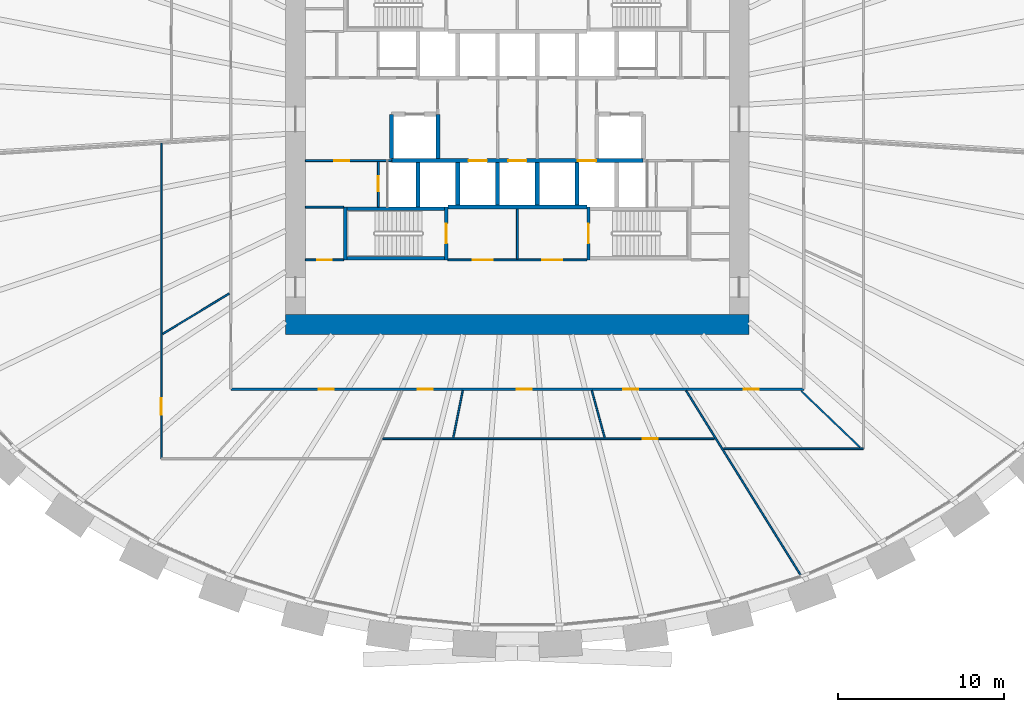
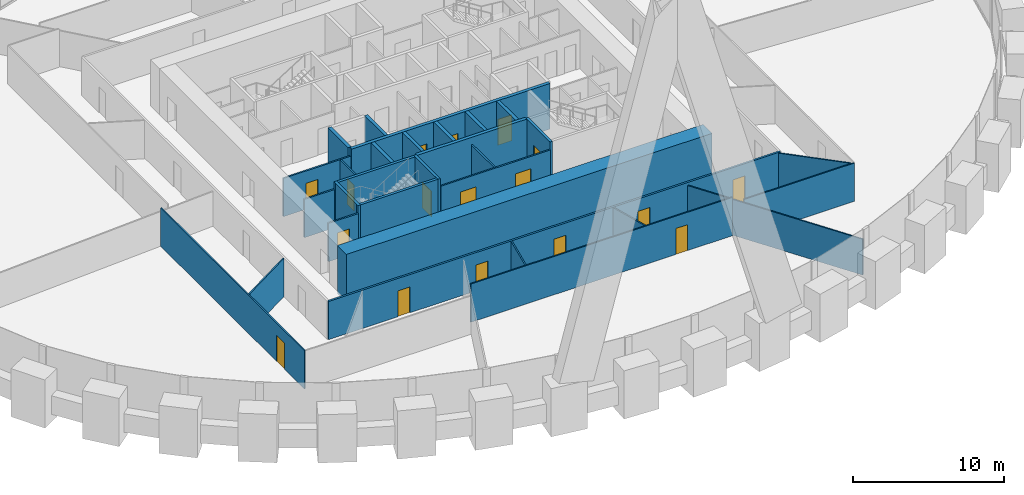
# One storey, part 6 of 10: 30 walls, 17 doors, 17 openings.
"""IFC4 building model written with IfcOpenShell, lengths in metres."""

from ifc_helpers import new_model, si_unit, direction, frame, frame_2d, origin, place, context, subcontext, project, spatial, rectangle, extrude, source, transform, mapped, material, layer, layer_set, type_object, element, fill, save


model = new_model("IFC4")

# Units and contexts
model_context = context("Model", 3, precision=1e-05, world=origin(), true_north=direction((0.0, 1.0)))
body_context = subcontext(model_context, "Body", "Model", "MODEL_VIEW")
ifc_project = project(units=[si_unit("LENGTHUNIT", "METRE"), si_unit("AREAUNIT", "SQUARE_METRE"), si_unit("VOLUMEUNIT", "CUBIC_METRE"), si_unit("PLANEANGLEUNIT", "RADIAN"), si_unit("MASSUNIT", "GRAM", prefix="KILO")], contexts=[model_context])

# Site, building, storey
site_placement = place(None, origin())
site = spatial("IfcSite", under=ifc_project, at=site_placement, CompositionType="ELEMENT")
building_placement = place(site_placement, origin())
building = spatial("IfcBuilding", under=site, at=building_placement, Name="Embergate Tower", CompositionType="ELEMENT")
storey_placement = place(building_placement, frame((0.0, 0.0, 89.300048828125)))
storey = spatial("IfcBuildingStorey", under=building, at=storey_placement, Name="L18", CompositionType="ELEMENT", Elevation=89.300048828125)

# Walls
ifc_material_1 = material(Name="Concrete C80", Category="concrete")
ifc_layer_1 = layer(ifc_material_1, 1.199951171875)
ifc_layer_set_1 = layer_set([ifc_layer_1], Name="Concrete C80")
wall_type_1 = type_object("IfcWallType", Name="Core outer wall C80 1200", PredefinedType="SHEAR", material=ifc_layer_set_1)
shared_shape_1 = source(origin(), body_context, "Body", "SweptSolid", [
    extrude(rectangle(XDim=28.0, YDim=1.199951171875, at=frame_2d((14.0, 0.0))), origin(), (0.0, 0.0, 1.0), 3.89990234375),
])
wall_1_placement = place(storey_placement, frame((-14.0, -12.39990234375, -0.199951171875), z_axis=(0.0, 0.0, 1.0), x_axis=(1.0, 0.0, 0.0)))
element("IfcWall", 1, at=wall_1_placement, inside=storey, type_object=wall_type_1, Name="CW-L18-S", PredefinedType="SHEAR", context=body_context, shape_type="MappedRepresentation", body=[
    mapped(shared_shape_1, transform((0.0, 0.0, 0.0))),
])
ifc_material_2 = material(Name="Concrete C50", Category="concrete")
ifc_layer_2 = layer(ifc_material_2, 0.25)
ifc_layer_set_2 = layer_set([ifc_layer_2], Name="Concrete C50")
wall_type_2 = type_object("IfcWallType", Name="Hoistway wall reinforced concrete 250", PredefinedType="SHEAR", material=ifc_layer_set_2)
shared_shape_2 = source(origin(), body_context, "Body", "SweptSolid", [
    extrude(rectangle(XDim=2.675048828125, YDim=0.25, at=frame_2d((1.33740234375, 0.0))), origin(), (0.0, 0.0, 1.0), 3.699951171875),
])
for number, where, z_axis, x_axis, name in (
    (2, (-6.0, -5.300048828125, 0.0), (0.0, 0.0, 1.0), (0.0, 1.0, 0.0), "HW-1 wall"),
    (3, (-4.800048828125, 0.300048828125, 0.0), (0.0, 0.0, 1.0), (0.0, -1.0, 0.0), "HW-1 wall"),
    (4, (-7.60009765625, 0.300048828125, 0.0), (0.0, 0.0, 1.0), (0.0, -1.0, 0.0), "HW-1 wall"),
):
    element("IfcWall", number, at=place(storey_placement, frame(where, z_axis=z_axis, x_axis=x_axis)), inside=storey, type_object=wall_type_2, Name=name, PredefinedType="SHEAR", context=body_context, shape_type="MappedRepresentation", body=[
        mapped(shared_shape_2, transform((0.0, 0.0, 0.0))),
    ])
ifc_layer_3 = layer(ifc_material_2, 0.199951171875)
ifc_layer_set_3 = layer_set([ifc_layer_3], Name="Concrete C50")
wall_type_3 = type_object("IfcWallType", Name="Stair enclosure wall reinforced concrete 250", PredefinedType="SHEAR", material=ifc_layer_set_3)
shared_shape_3 = source(origin(), body_context, "Body", "SweptSolid", [
    extrude(rectangle(XDim=6.300048828125, YDim=0.199951171875, at=frame_2d((3.14990234375, 0.0))), origin(), (0.0, 0.0, 1.0), 3.699951171875),
])
for number, where, z_axis, x_axis, name in (
    (5, (-10.5, -5.39990234375, 0.0), (0.0, 0.0, 1.0), (1.0, 0.0, 0.0), "SE-1 wall"),
    (6, (-10.5, -8.39990234375, 0.0), (0.0, 0.0, 1.0), (1.0, 0.0, 0.0), "SE-1 wall"),
):
    element("IfcWall", number, at=place(storey_placement, frame(where, z_axis=z_axis, x_axis=x_axis)), inside=storey, type_object=wall_type_3, Name=name, PredefinedType="SHEAR", context=body_context, shape_type="MappedRepresentation", body=[
        mapped(shared_shape_3, transform((0.0, 0.0, 0.0))),
    ])
shared_shape_4 = source(origin(), body_context, "Body", "SweptSolid", [
    extrude(rectangle(XDim=2.550048828125, YDim=0.25, at=frame_2d((1.27490234375, 0.0))), origin(), (0.0, 0.0, 1.0), 3.699951171875),
])
for number, where, z_axis, x_axis, name in (
    (7, (-3.60009765625, -5.175048828125, 0.0), (0.0, 0.0, 1.0), (0.0, 1.0, 0.0), "HW-1 wall"),
    (8, (-1.199951171875, -5.175048828125, 0.0), (0.0, 0.0, 1.0), (0.0, 1.0, 0.0), "HW-1 wall"),
    (9, (1.199951171875, -5.175048828125, 0.0), (0.0, 0.0, 1.0), (0.0, 1.0, 0.0), "HW-1 wall"),
    (10, (3.60009765625, -5.175048828125, 0.0), (0.0, 0.0, 1.0), (0.0, 1.0, 0.0), "HW-1 wall"),
):
    element("IfcWall", number, at=place(storey_placement, frame(where, z_axis=z_axis, x_axis=x_axis)), inside=storey, type_object=wall_type_2, Name=name, PredefinedType="SHEAR", context=body_context, shape_type="MappedRepresentation", body=[
        mapped(shared_shape_4, transform((0.0, 0.0, 0.0))),
    ])
shared_shape_5 = source(origin(), body_context, "Body", "SweptSolid", [
    extrude(rectangle(XDim=8.39990234375, YDim=0.25, at=frame_2d((4.199951171875, 0.0))), origin(), (0.0, 0.0, 1.0), 3.699951171875),
])
wall_2_placement = place(storey_placement, frame((-4.199951171875, -5.300048828125, 0.0), z_axis=(0.0, 0.0, 1.0), x_axis=(1.0, 0.0, 0.0)))
element("IfcWall", 11, at=wall_2_placement, inside=storey, type_object=wall_type_2, Name="HW-1 wall", PredefinedType="SHEAR", context=body_context, shape_type="MappedRepresentation", body=[
    mapped(shared_shape_5, transform((0.0, 0.0, 0.0))),
])

# Wall, openings, doors
shared_shape_6 = source(origin(), body_context, "Body", "SweptSolid", [
    extrude(rectangle(XDim=15.2001953125, YDim=0.25, at=frame_2d((7.60009765625, 0.0))), origin(), (0.0, 0.0, 1.0), 3.699951171875),
])
wall_3_placement = place(storey_placement, frame((7.60009765625, -2.5, 0.0), z_axis=(0.0, 0.0, 1.0), x_axis=(-1.0, 0.0, 0.0)))
wall_3 = element("IfcWall", 12, at=wall_3_placement, inside=storey, type_object=wall_type_2, Name="HW-1 wall", PredefinedType="SHEAR", context=body_context, shape_type="MappedRepresentation", body=[
    mapped(shared_shape_6, transform((0.0, 0.0, 0.0))),
])
shared_shape_7 = source(origin(), body_context, "Body", "SweptSolid", [
    extrude(rectangle(XDim=1.10009765625, YDim=2.10009765625, at=frame_2d((0.550048828125, 1.050048828125))), frame((0.0, 0.135009765625, 0.0), z_axis=(0.0, -1.0, 0.0), x_axis=(1.0, 0.0, 0.0)), (0.0, 0.0, 1.0), 0.27001953125),
])
opening_1_placement = place(wall_3_placement, frame((9.449951171875, 0.0, 0.0)))
opening_1 = element("IfcOpeningElement", 13, at=opening_1_placement, cuts=wall_3, Name="Opening LD", PredefinedType="OPENING", context=body_context, shape_type="MappedRepresentation", body=[
    mapped(shared_shape_7, transform((0.0, 0.0, 0.0))),
])
opening_2_placement = place(wall_3_placement, frame((7.050048828125, 0.0, 0.0)))
opening_2 = element("IfcOpeningElement", 14, at=opening_2_placement, cuts=wall_3, Name="Opening LD", PredefinedType="OPENING", context=body_context, shape_type="MappedRepresentation", body=[
    mapped(shared_shape_7, transform((0.0, 0.0, 0.0))),
])
opening_3_placement = place(wall_3_placement, frame((2.85009765625, 0.0, 0.0)))
opening_3 = element("IfcOpeningElement", 15, at=opening_3_placement, cuts=wall_3, Name="Opening LD", PredefinedType="OPENING", context=body_context, shape_type="MappedRepresentation", body=[
    mapped(shared_shape_7, transform((0.0, 0.0, 0.0))),
])
ifc_material_3 = material(Name="Landing door sliding 1100")
door_type_1 = type_object("IfcDoorType", Name="Landing door sliding 1100", OperationType="SLIDING_TO_LEFT", PredefinedType="DOOR", material=ifc_material_3)
shared_shape_8 = source(origin(), body_context, "Body", "SweptSolid", [
    extrude(rectangle(XDim=1.10009765625, YDim=2.10009765625, at=frame_2d((0.550048828125, 1.050048828125))), frame((0.0, 0.02490234375, 0.0), z_axis=(0.0, -1.0, 0.0), x_axis=(1.0, 0.0, 0.0)), (0.0, 0.0, 1.0), 0.050048828125),
])
door_1_placement = place(opening_1_placement, origin())
door_1 = element("IfcDoor", 16, at=door_1_placement, inside=storey, type_object=door_type_1, Name="LD door", OperationType="SLIDING_TO_RIGHT", OverallHeight=2.10009765625, OverallWidth=1.10009765625, PredefinedType="DOOR", context=body_context, shape_type="MappedRepresentation", body=[
    mapped(shared_shape_8, transform((0.0, 0.0, 0.0))),
])
fill(opening_1, door_1)
door_2_placement = place(opening_2_placement, origin())
door_2 = element("IfcDoor", 17, at=door_2_placement, inside=storey, type_object=door_type_1, Name="LD door", OperationType="SLIDING_TO_RIGHT", OverallHeight=2.10009765625, OverallWidth=1.10009765625, PredefinedType="DOOR", context=body_context, shape_type="MappedRepresentation", body=[
    mapped(shared_shape_8, transform((0.0, 0.0, 0.0))),
])
fill(opening_2, door_2)
door_3_placement = place(opening_3_placement, origin())
door_3 = element("IfcDoor", 18, at=door_3_placement, inside=storey, type_object=door_type_1, Name="LD door", OperationType="SLIDING_TO_RIGHT", OverallHeight=2.10009765625, OverallWidth=1.10009765625, PredefinedType="DOOR", context=body_context, shape_type="MappedRepresentation", body=[
    mapped(shared_shape_8, transform((0.0, 0.0, 0.0))),
])
fill(opening_3, door_3)

# Wall, opening, door
shared_shape_9 = source(origin(), body_context, "Body", "SweptSolid", [
    extrude(rectangle(XDim=3.199951171875, YDim=0.199951171875, at=frame_2d((1.60009765625, 0.0))), origin(), (0.0, 0.0, 1.0), 3.699951171875),
])
wall_4_placement = place(storey_placement, frame((-4.300048828125, -8.5, 0.0), z_axis=(0.0, 0.0, 1.0), x_axis=(0.0, 1.0, 0.0)))
wall_4 = element("IfcWall", 19, at=wall_4_placement, inside=storey, type_object=wall_type_3, Name="SE-1 wall", PredefinedType="SHEAR", context=body_context, shape_type="MappedRepresentation", body=[
    mapped(shared_shape_9, transform((0.0, 0.0, 0.0))),
])
shared_shape_10 = source(origin(), body_context, "Body", "SweptSolid", [
    extrude(rectangle(XDim=1.199951171875, YDim=2.10009765625, at=frame_2d((0.60009765625, 1.050048828125))), frame((0.0, 0.10986328125, 0.0), z_axis=(0.0, -1.0, 0.0), x_axis=(1.0, 0.0, 0.0)), (0.0, 0.0, 1.0), 0.219970703125),
])
opening_4_placement = place(wall_4_placement, frame((1.0, 0.0, 0.0)))
opening_4 = element("IfcOpeningElement", 20, at=opening_4_placement, cuts=wall_4, Name="Opening IF-2", PredefinedType="OPENING", context=body_context, shape_type="MappedRepresentation", body=[
    mapped(shared_shape_10, transform((0.0, 0.0, 0.0))),
])
ifc_material_4 = material(Name="Stair enclosure door 1200")
door_type_2 = type_object("IfcDoorType", Name="Stair enclosure door 1200", OperationType="SINGLE_SWING_LEFT", PredefinedType="DOOR", material=ifc_material_4)
shared_shape_11 = source(origin(), body_context, "Body", "SweptSolid", [
    extrude(rectangle(XDim=1.199951171875, YDim=2.10009765625, at=frame_2d((0.60009765625, 1.050048828125))), frame((0.0, 0.02490234375, 0.0), z_axis=(0.0, -1.0, 0.0), x_axis=(1.0, 0.0, 0.0)), (0.0, 0.0, 1.0), 0.050048828125),
])
door_4_placement = place(opening_4_placement, origin())
door_4 = element("IfcDoor", 21, at=door_4_placement, inside=storey, type_object=door_type_2, Name="IF-2 door", OperationType="SINGLE_SWING_LEFT", OverallHeight=2.10009765625, OverallWidth=1.199951171875, PredefinedType="DOOR", context=body_context, shape_type="MappedRepresentation", body=[
    mapped(shared_shape_11, transform((0.0, 0.0, 0.0))),
])
fill(opening_4, door_4)

# Wall
wall_5_placement = place(storey_placement, frame((-10.39990234375, -5.300048828125, 0.0), z_axis=(0.0, 0.0, 1.0), x_axis=(0.0, -1.0, 0.0)))
element("IfcWall", 22, at=wall_5_placement, inside=storey, type_object=wall_type_3, Name="SE-1 wall", PredefinedType="SHEAR", context=body_context, shape_type="MappedRepresentation", body=[
    mapped(shared_shape_9, transform((0.0, 0.0, 0.0))),
])

# Wall, opening, door
wall_6_placement = place(storey_placement, frame((4.300048828125, -5.300048828125, 0.0), z_axis=(0.0, 0.0, 1.0), x_axis=(0.0, -1.0, 0.0)))
wall_6 = element("IfcWall", 23, at=wall_6_placement, inside=storey, type_object=wall_type_3, Name="SE-1 wall", PredefinedType="SHEAR", context=body_context, shape_type="MappedRepresentation", body=[
    mapped(shared_shape_9, transform((0.0, 0.0, 0.0))),
])
opening_5_placement = place(wall_6_placement, frame((1.0, 0.0, 0.0)))
opening_5 = element("IfcOpeningElement", 24, at=opening_5_placement, cuts=wall_6, Name="Opening IF-2", PredefinedType="OPENING", context=body_context, shape_type="MappedRepresentation", body=[
    mapped(shared_shape_10, transform((0.0, 0.0, 0.0))),
])
door_5_placement = place(opening_5_placement, origin())
door_5 = element("IfcDoor", 25, at=door_5_placement, inside=storey, type_object=door_type_2, Name="IF-2 door", OperationType="SINGLE_SWING_LEFT", OverallHeight=2.10009765625, OverallWidth=1.199951171875, PredefinedType="DOOR", context=body_context, shape_type="MappedRepresentation", body=[
    mapped(shared_shape_11, transform((0.0, 0.0, 0.0))),
])
fill(opening_5, door_5)

ifc_material_5 = material(Name="Core partition blockwork 120")
ifc_layer_4 = layer(ifc_material_5, 0.1201171875)
ifc_layer_set_4 = layer_set([ifc_layer_4], Name="Core partition blockwork 120")
wall_type_4 = type_object("IfcWallType", Name="Core partition blockwork 120", PredefinedType="PARTITIONING", material=ifc_layer_set_4)
shared_shape_12 = source(origin(), body_context, "Body", "SweptSolid", [
    extrude(rectangle(XDim=2.739990234375, YDim=0.1201171875, at=frame_2d((1.3701171875, 0.0))), origin(), (0.0, 0.0, 1.0), 3.099853515625),
])
wall_7_placement = place(storey_placement, frame((-8.39990234375, -2.56005859375, 0.0), z_axis=(0.0, 0.0, 1.0), x_axis=(0.0, -1.0, 0.0)))
wall_7 = element("IfcWall", 26, at=wall_7_placement, inside=storey, type_object=wall_type_4, Name="IP-3 wall", PredefinedType="PARTITIONING", context=body_context, shape_type="MappedRepresentation", body=[
    mapped(shared_shape_12, transform((0.0, 0.0, 0.0))),
])
shared_shape_13 = source(origin(), body_context, "Body", "SweptSolid", [
    extrude(rectangle(XDim=0.89990234375, YDim=2.10009765625, at=frame_2d((0.449951171875, 1.050048828125))), frame((0.0, 0.070068359375, 0.0), z_axis=(0.0, -1.0, 0.0), x_axis=(1.0, 0.0, 0.0)), (0.0, 0.0, 1.0), 0.14013671875),
])
opening_6_placement = place(wall_7_placement, frame((0.889892578125, 0.0, 0.0)))
opening_6 = element("IfcOpeningElement", 27, at=opening_6_placement, cuts=wall_7, Name="Opening ID-1", PredefinedType="OPENING", context=body_context, shape_type="MappedRepresentation", body=[
    mapped(shared_shape_13, transform((0.0, 0.0, 0.0))),
])
ifc_material_6 = material(Name="Interior door 900")
door_type_3 = type_object("IfcDoorType", Name="Interior door 900", OperationType="SINGLE_SWING_LEFT", PredefinedType="DOOR", material=ifc_material_6)
shared_shape_14 = source(origin(), body_context, "Body", "SweptSolid", [
    extrude(rectangle(XDim=0.89990234375, YDim=2.10009765625, at=frame_2d((0.449951171875, 1.050048828125))), frame((0.0, 0.02490234375, 0.0), z_axis=(0.0, -1.0, 0.0), x_axis=(1.0, 0.0, 0.0)), (0.0, 0.0, 1.0), 0.050048828125),
])
door_6_placement = place(opening_6_placement, origin())
door_6 = element("IfcDoor", 28, at=door_6_placement, inside=storey, type_object=door_type_3, Name="ID-1 door", OperationType="SINGLE_SWING_LEFT", OverallHeight=2.10009765625, OverallWidth=0.89990234375, PredefinedType="DOOR", context=body_context, shape_type="MappedRepresentation", body=[
    mapped(shared_shape_14, transform((0.0, 0.0, 0.0))),
])
fill(opening_6, door_6)

shared_shape_15 = source(origin(), body_context, "Body", "SweptSolid", [
    extrude(rectangle(XDim=5.199951171875, YDim=0.1201171875, at=frame_2d((2.60009765625, 0.0))), origin(), (0.0, 0.0, 1.0), 3.099853515625),
])
wall_8_placement = place(storey_placement, frame((-7.60009765625, -2.5, 0.0), z_axis=(0.0, 0.0, 1.0), x_axis=(-1.0, 0.0, 0.0)))
wall_8 = element("IfcWall", 29, at=wall_8_placement, inside=storey, type_object=wall_type_4, Name="IP-3 wall", PredefinedType="PARTITIONING", context=body_context, shape_type="MappedRepresentation", body=[
    mapped(shared_shape_15, transform((0.0, 0.0, 0.0))),
])
opening_7_placement = place(wall_8_placement, frame((2.550048828125, 0.0, 0.0)))
opening_7 = element("IfcOpeningElement", 30, at=opening_7_placement, cuts=wall_8, Name="Opening ID-1", PredefinedType="OPENING", context=body_context, shape_type="MappedRepresentation", body=[
    mapped(shared_shape_13, transform((0.0, 0.0, 0.0))),
])
door_7_placement = place(opening_7_placement, origin())
door_7 = element("IfcDoor", 31, at=door_7_placement, inside=storey, type_object=door_type_3, Name="ID-1 door", OperationType="SINGLE_SWING_LEFT", OverallHeight=2.10009765625, OverallWidth=0.89990234375, PredefinedType="DOOR", context=body_context, shape_type="MappedRepresentation", body=[
    mapped(shared_shape_14, transform((0.0, 0.0, 0.0))),
])
fill(opening_7, door_7)

# Wall
shared_shape_16 = source(origin(), body_context, "Body", "SweptSolid", [
    extrude(rectangle(XDim=3.014892578125, YDim=0.1201171875, at=frame_2d((1.50732421875, 0.0))), origin(), (0.0, 0.0, 1.0), 3.099853515625),
])
wall_9_placement = place(storey_placement, frame((0.0, -8.43994140625, 0.0), z_axis=(0.0, 0.0, 1.0), x_axis=(0.0, 1.0, 0.0)))
element("IfcWall", 32, at=wall_9_placement, inside=storey, type_object=wall_type_4, Name="IP-3 wall", PredefinedType="PARTITIONING", context=body_context, shape_type="MappedRepresentation", body=[
    mapped(shared_shape_16, transform((0.0, 0.0, 0.0))),
])

# Wall, openings, doors
shared_shape_17 = source(origin(), body_context, "Body", "SweptSolid", [
    extrude(rectangle(XDim=8.39990234375, YDim=0.1201171875, at=frame_2d((4.199951171875, 0.0))), origin(), (0.0, 0.0, 1.0), 3.099853515625),
])
wall_10_placement = place(storey_placement, frame((-4.199951171875, -8.5, 0.0), z_axis=(0.0, 0.0, 1.0), x_axis=(1.0, 0.0, 0.0)))
wall_10 = element("IfcWall", 33, at=wall_10_placement, inside=storey, type_object=wall_type_4, Name="IP-3 wall", PredefinedType="PARTITIONING", context=body_context, shape_type="MappedRepresentation", body=[
    mapped(shared_shape_17, transform((0.0, 0.0, 0.0))),
])
shared_shape_18 = source(origin(), body_context, "Body", "SweptSolid", [
    extrude(rectangle(XDim=1.199951171875, YDim=2.10009765625, at=frame_2d((0.60009765625, 1.050048828125))), frame((0.0, 0.070068359375, 0.0), z_axis=(0.0, -1.0, 0.0), x_axis=(1.0, 0.0, 0.0)), (0.0, 0.0, 1.0), 0.14013671875),
])
opening_8_placement = place(wall_10_placement, frame((1.5, 0.0, 0.0)))
opening_8 = element("IfcOpeningElement", 34, at=opening_8_placement, cuts=wall_10, Name="Opening IF-3f", PredefinedType="OPENING", context=body_context, shape_type="MappedRepresentation", body=[
    mapped(shared_shape_18, transform((0.0, 0.0, 0.0))),
])
opening_9_placement = place(wall_10_placement, frame((5.699951171875, 0.0, 0.0)))
opening_9 = element("IfcOpeningElement", 35, at=opening_9_placement, cuts=wall_10, Name="Opening IF-3f", PredefinedType="OPENING", context=body_context, shape_type="MappedRepresentation", body=[
    mapped(shared_shape_18, transform((0.0, 0.0, 0.0))),
])
ifc_material_7 = material(Name="Lobby fire door pair 1200")
door_type_4 = type_object("IfcDoorType", Name="Lobby fire door pair 1200", OperationType="DOUBLE_DOOR_SINGLE_SWING", PredefinedType="DOOR", material=ifc_material_7)
door_8_placement = place(opening_8_placement, origin())
door_8 = element("IfcDoor", 36, at=door_8_placement, inside=storey, type_object=door_type_4, Name="IF-3 door", OperationType="DOUBLE_DOOR_SINGLE_SWING", OverallHeight=2.10009765625, OverallWidth=1.199951171875, PredefinedType="DOOR", context=body_context, shape_type="MappedRepresentation", body=[
    mapped(shared_shape_11, transform((0.0, 0.0, 0.0))),
])
fill(opening_8, door_8)
door_9_placement = place(opening_9_placement, origin())
door_9 = element("IfcDoor", 37, at=door_9_placement, inside=storey, type_object=door_type_4, Name="IF-3 door", OperationType="DOUBLE_DOOR_SINGLE_SWING", OverallHeight=2.10009765625, OverallWidth=1.199951171875, PredefinedType="DOOR", context=body_context, shape_type="MappedRepresentation", body=[
    mapped(shared_shape_11, transform((0.0, 0.0, 0.0))),
])
fill(opening_9, door_9)

# Wall, opening, door
shared_shape_19 = source(origin(), body_context, "Body", "SweptSolid", [
    extrude(rectangle(XDim=2.300048828125, YDim=0.1201171875, at=frame_2d((1.14990234375, 0.0))), origin(), (0.0, 0.0, 1.0), 3.099853515625),
])
wall_11_placement = place(storey_placement, frame((-10.5, -8.5, 0.0), z_axis=(0.0, 0.0, 1.0), x_axis=(-1.0, 0.0, 0.0)))
wall_11 = element("IfcWall", 38, at=wall_11_placement, inside=storey, type_object=wall_type_4, Name="IP-3 wall", PredefinedType="PARTITIONING", context=body_context, shape_type="MappedRepresentation", body=[
    mapped(shared_shape_19, transform((0.0, 0.0, 0.0))),
])
opening_10_placement = place(wall_11_placement, frame((0.699951171875, 0.0, 0.0)))
opening_10 = element("IfcOpeningElement", 39, at=opening_10_placement, cuts=wall_11, Name="Opening ID-1", PredefinedType="OPENING", context=body_context, shape_type="MappedRepresentation", body=[
    mapped(shared_shape_13, transform((0.0, 0.0, 0.0))),
])
door_10_placement = place(opening_10_placement, origin())
door_10 = element("IfcDoor", 40, at=door_10_placement, inside=storey, type_object=door_type_3, Name="ID-1 door", OperationType="SINGLE_SWING_RIGHT", OverallHeight=2.10009765625, OverallWidth=0.89990234375, PredefinedType="DOOR", context=body_context, shape_type="MappedRepresentation", body=[
    mapped(shared_shape_14, transform((0.0, 0.0, 0.0))),
])
fill(opening_10, door_10)

# Walls
wall_12_placement = place(storey_placement, frame((-12.800048828125, -5.300048828125, 0.0), z_axis=(0.0, 0.0, 1.0), x_axis=(1.0, 0.0, 0.0)))
element("IfcWall", 41, at=wall_12_placement, inside=storey, type_object=wall_type_4, Name="IP-3 wall", PredefinedType="PARTITIONING", context=body_context, shape_type="MappedRepresentation", body=[
    mapped(shared_shape_19, transform((0.0, 0.0, 0.0))),
])
ifc_material_8 = material(Name="Partition dry-lined 100 wet")
ifc_layer_5 = layer(ifc_material_8, 0.10009765625)
ifc_layer_set_5 = layer_set([ifc_layer_5], Name="Partition dry-lined 100 wet")
wall_type_5 = type_object("IfcWallType", Name="Partition dry-lined 100 wet", PredefinedType="PLUMBINGWALL", material=ifc_layer_set_5)
shared_shape_20 = source(origin(), body_context, "Body", "SweptSolid", [
    extrude(rectangle(XDim=13.174072265625, YDim=0.10009765625, at=frame_2d((6.5869140625, 0.0))), origin(), (0.0, 0.0, 1.0), 2.89990234375),
])
wall_13_placement = place(storey_placement, frame((17.14794921875, -27.590087890625, 0.0), z_axis=(0.0, 0.0, 1.0), x_axis=(-0.527846691856, 0.849339666975, 0.0)))
element("IfcWall", 42, at=wall_13_placement, inside=storey, type_object=wall_type_5, Name="IP-1 wall", PredefinedType="PLUMBINGWALL", context=body_context, shape_type="MappedRepresentation", body=[
    mapped(shared_shape_20, transform((0.0, 0.0, 0.0))),
])

# Wall, openings, doors
ifc_material_9 = material(Name="Corridor wall dry-lined 150")
ifc_layer_6 = layer(ifc_material_9, 0.14990234375)
ifc_layer_set_6 = layer_set([ifc_layer_6], Name="Corridor wall dry-lined 150")
wall_type_6 = type_object("IfcWallType", Name="Corridor wall dry-lined 150", PredefinedType="PARTITIONING", material=ifc_layer_set_6)
shared_shape_21 = source(origin(), body_context, "Body", "SweptSolid", [
    extrude(rectangle(XDim=34.60009765625, YDim=0.14990234375, at=frame_2d((17.300048828125, 0.0))), origin(), (0.0, 0.0, 1.0), 3.099853515625),
])
wall_14_placement = place(storey_placement, frame((17.300048828125, -16.300048828125, 0.0), z_axis=(0.0, 0.0, 1.0), x_axis=(-1.0, 0.0, 0.0)))
wall_14 = element("IfcWall", 43, at=wall_14_placement, inside=storey, type_object=wall_type_6, Name="IP-2 wall", PredefinedType="PARTITIONING", context=body_context, shape_type="MappedRepresentation", body=[
    mapped(shared_shape_21, transform((0.0, 0.0, 0.0))),
])
shared_shape_22 = source(origin(), body_context, "Body", "SweptSolid", [
    extrude(rectangle(XDim=0.89990234375, YDim=2.10009765625, at=frame_2d((0.449951171875, 1.050048828125))), frame((0.0, 0.0849609375, 0.0), z_axis=(0.0, -1.0, 0.0), x_axis=(1.0, 0.0, 0.0)), (0.0, 0.0, 1.0), 0.169921875),
])
opening_11_placement = place(wall_14_placement, frame((28.383056640625, 0.0, 0.0)))
opening_11 = element("IfcOpeningElement", 44, at=opening_11_placement, cuts=wall_14, Name="Opening IF-1c", PredefinedType="OPENING", context=body_context, shape_type="MappedRepresentation", body=[
    mapped(shared_shape_22, transform((0.0, 0.0, 0.0))),
])
opening_12_placement = place(wall_14_placement, frame((22.410888671875, 0.0, 0.0)))
opening_12 = element("IfcOpeningElement", 45, at=opening_12_placement, cuts=wall_14, Name="Opening IF-1c", PredefinedType="OPENING", context=body_context, shape_type="MappedRepresentation", body=[
    mapped(shared_shape_22, transform((0.0, 0.0, 0.0))),
])
opening_13_placement = place(wall_14_placement, frame((16.443115234375, 0.0, 0.0)))
opening_13 = element("IfcOpeningElement", 46, at=opening_13_placement, cuts=wall_14, Name="Opening IF-1c", PredefinedType="OPENING", context=body_context, shape_type="MappedRepresentation", body=[
    mapped(shared_shape_22, transform((0.0, 0.0, 0.0))),
])
opening_14_placement = place(wall_14_placement, frame((10.006103515625, 0.0, 0.0)))
opening_14 = element("IfcOpeningElement", 47, at=opening_14_placement, cuts=wall_14, Name="Opening IF-1c", PredefinedType="OPENING", context=body_context, shape_type="MappedRepresentation", body=[
    mapped(shared_shape_22, transform((0.0, 0.0, 0.0))),
])
opening_15_placement = place(wall_14_placement, frame((2.73291015625, 0.0, 0.0)))
opening_15 = element("IfcOpeningElement", 48, at=opening_15_placement, cuts=wall_14, Name="Opening IF-1c", PredefinedType="OPENING", context=body_context, shape_type="MappedRepresentation", body=[
    mapped(shared_shape_22, transform((0.0, 0.0, 0.0))),
])
ifc_material_10 = material(Name="Escape fire door 900")
door_type_5 = type_object("IfcDoorType", Name="Escape fire door 900", OperationType="SINGLE_SWING_LEFT", PredefinedType="DOOR", material=ifc_material_10)
door_11_placement = place(opening_11_placement, origin())
door_11 = element("IfcDoor", 49, at=door_11_placement, inside=storey, type_object=door_type_5, Name="IF-1 door", OperationType="SINGLE_SWING_LEFT", OverallHeight=2.10009765625, OverallWidth=0.89990234375, PredefinedType="DOOR", context=body_context, shape_type="MappedRepresentation", body=[
    mapped(shared_shape_14, transform((0.0, 0.0, 0.0))),
])
fill(opening_11, door_11)
door_12_placement = place(opening_12_placement, origin())
door_12 = element("IfcDoor", 50, at=door_12_placement, inside=storey, type_object=door_type_5, Name="IF-1 door", OperationType="SINGLE_SWING_RIGHT", OverallHeight=2.10009765625, OverallWidth=0.89990234375, PredefinedType="DOOR", context=body_context, shape_type="MappedRepresentation", body=[
    mapped(shared_shape_14, transform((0.0, 0.0, 0.0))),
])
fill(opening_12, door_12)
door_13_placement = place(opening_13_placement, origin())
door_13 = element("IfcDoor", 51, at=door_13_placement, inside=storey, type_object=door_type_5, Name="IF-1 door", OperationType="SINGLE_SWING_RIGHT", OverallHeight=2.10009765625, OverallWidth=0.89990234375, PredefinedType="DOOR", context=body_context, shape_type="MappedRepresentation", body=[
    mapped(shared_shape_14, transform((0.0, 0.0, 0.0))),
])
fill(opening_13, door_13)
door_14_placement = place(opening_14_placement, origin())
door_14 = element("IfcDoor", 52, at=door_14_placement, inside=storey, type_object=door_type_5, Name="IF-1 door", OperationType="SINGLE_SWING_RIGHT", OverallHeight=2.10009765625, OverallWidth=0.89990234375, PredefinedType="DOOR", context=body_context, shape_type="MappedRepresentation", body=[
    mapped(shared_shape_14, transform((0.0, 0.0, 0.0))),
])
fill(opening_14, door_14)
door_15_placement = place(opening_15_placement, origin())
door_15 = element("IfcDoor", 53, at=door_15_placement, inside=storey, type_object=door_type_5, Name="IF-1 door", OperationType="SINGLE_SWING_LEFT", OverallHeight=2.10009765625, OverallWidth=0.89990234375, PredefinedType="DOOR", context=body_context, shape_type="MappedRepresentation", body=[
    mapped(shared_shape_14, transform((0.0, 0.0, 0.0))),
])
fill(opening_15, door_15)

# Wall
ifc_material_11 = material(Name="Partition dry-lined 100")
ifc_layer_7 = layer(ifc_material_11, 0.10009765625)
ifc_layer_set_7 = layer_set([ifc_layer_7], Name="Partition dry-lined 100")
wall_type_7 = type_object("IfcWallType", Name="Partition dry-lined 100", PredefinedType="PARTITIONING", material=ifc_layer_set_7)
shared_shape_23 = source(origin(), body_context, "Body", "SweptSolid", [
    extrude(rectangle(XDim=4.70263671875, YDim=0.10009765625, at=frame_2d((2.351318359375, 0.0))), origin(), (0.0, 0.0, 1.0), 3.099853515625),
])
wall_15_placement = place(storey_placement, frame((-17.40087890625, -10.528076171875, 0.0), z_axis=(0.0, 0.0, 1.0), x_axis=(-0.855526101792, -0.517759682819, 0.0)))
element("IfcWall", 54, at=wall_15_placement, inside=storey, type_object=wall_type_7, Name="IP-1 wall", PredefinedType="PARTITIONING", context=body_context, shape_type="MappedRepresentation", body=[
    mapped(shared_shape_23, transform((0.0, 0.0, 0.0))),
])

# Wall, opening, door
shared_shape_24 = source(origin(), body_context, "Body", "SweptSolid", [
    extrude(rectangle(XDim=19.06591796875, YDim=0.10009765625, at=frame_2d((9.532958984375, 0.0))), origin(), (0.0, 0.0, 1.0), 3.099853515625),
])
wall_16_placement = place(storey_placement, frame((-21.5, -20.5, 0.0), z_axis=(0.0, 0.0, 1.0), x_axis=(0.0, 1.0, 0.0)))
wall_16 = element("IfcWall", 55, at=wall_16_placement, inside=storey, type_object=wall_type_7, Name="IP-1 wall", PredefinedType="PARTITIONING", context=body_context, shape_type="MappedRepresentation", body=[
    mapped(shared_shape_24, transform((0.0, 0.0, 0.0))),
])
shared_shape_25 = source(origin(), body_context, "Body", "SweptSolid", [
    extrude(rectangle(XDim=1.0, YDim=2.10009765625, at=frame_2d((0.5, 1.050048828125))), frame((0.0, 0.06005859375, 0.0), z_axis=(0.0, -1.0, 0.0), x_axis=(1.0, 0.0, 0.0)), (0.0, 0.0, 1.0), 0.1201171875),
])
opening_16_placement = place(wall_16_placement, frame((2.656982421875, 0.0, 0.0)))
opening_16 = element("IfcOpeningElement", 56, at=opening_16_placement, cuts=wall_16, Name="Opening ID-2", PredefinedType="OPENING", context=body_context, shape_type="MappedRepresentation", body=[
    mapped(shared_shape_25, transform((0.0, 0.0, 0.0))),
])
ifc_material_12 = material(Name="Interior door 1000")
door_type_6 = type_object("IfcDoorType", Name="Interior door 1000", OperationType="SINGLE_SWING_LEFT", PredefinedType="DOOR", material=ifc_material_12)
shared_shape_26 = source(origin(), body_context, "Body", "SweptSolid", [
    extrude(rectangle(XDim=1.0, YDim=2.10009765625, at=frame_2d((0.5, 1.050048828125))), frame((0.0, 0.02490234375, 0.0), z_axis=(0.0, -1.0, 0.0), x_axis=(1.0, 0.0, 0.0)), (0.0, 0.0, 1.0), 0.050048828125),
])
door_16_placement = place(opening_16_placement, origin())
door_16 = element("IfcDoor", 57, at=door_16_placement, inside=storey, type_object=door_type_6, Name="ID-2 door", OperationType="SINGLE_SWING_LEFT", OverallHeight=2.10009765625, OverallWidth=1.0, PredefinedType="DOOR", context=body_context, shape_type="MappedRepresentation", body=[
    mapped(shared_shape_26, transform((0.0, 0.0, 0.0))),
])
fill(opening_16, door_16)

# Wall
shared_shape_27 = source(origin(), body_context, "Body", "SweptSolid", [
    extrude(rectangle(XDim=2.912353515625, YDim=0.10009765625, at=frame_2d((1.4560546875, 0.0))), origin(), (0.0, 0.0, 1.0), 3.099853515625),
])
wall_17_placement = place(storey_placement, frame((-3.300048828125, -16.385009765625, 0.0), z_axis=(0.0, 0.0, 1.0), x_axis=(-0.197421788851, -0.980318640691, 0.0)))
element("IfcWall", 58, at=wall_17_placement, inside=storey, type_object=wall_type_5, Name="IP-1 wall", PredefinedType="PLUMBINGWALL", context=body_context, shape_type="MappedRepresentation", body=[
    mapped(shared_shape_27, transform((0.0, 0.0, 0.0))),
])

# Wall, opening, door
shared_shape_28 = source(origin(), body_context, "Body", "SweptSolid", [
    extrude(rectangle(XDim=20.041015625, YDim=0.10009765625, at=frame_2d((10.0205078125, 0.0))), origin(), (0.0, 0.0, 1.0), 3.099853515625),
])
wall_18_placement = place(storey_placement, frame((11.905029296875, -19.300048828125, 0.0), z_axis=(0.0, 0.0, 1.0), x_axis=(-1.0, 0.0, 0.0)))
wall_18 = element("IfcWall", 59, at=wall_18_placement, inside=storey, type_object=wall_type_5, Name="IP-1 wall", PredefinedType="PLUMBINGWALL", context=body_context, shape_type="MappedRepresentation", body=[
    mapped(shared_shape_28, transform((0.0, 0.0, 0.0))),
])
shared_shape_29 = source(origin(), body_context, "Body", "SweptSolid", [
    extrude(rectangle(XDim=0.89990234375, YDim=2.10009765625, at=frame_2d((0.449951171875, 1.050048828125))), frame((0.0, 0.06005859375, 0.0), z_axis=(0.0, -1.0, 0.0), x_axis=(1.0, 0.0, 0.0)), (0.0, 0.0, 1.0), 0.1201171875),
])
opening_17_placement = place(wall_18_placement, frame((3.434326171875, 0.0, 0.0)))
opening_17 = element("IfcOpeningElement", 60, at=opening_17_placement, cuts=wall_18, Name="Opening ID-1", PredefinedType="OPENING", context=body_context, shape_type="MappedRepresentation", body=[
    mapped(shared_shape_29, transform((0.0, 0.0, 0.0))),
])
door_17_placement = place(opening_17_placement, origin())
door_17 = element("IfcDoor", 61, at=door_17_placement, inside=storey, type_object=door_type_3, Name="ID-1 door", OperationType="SINGLE_SWING_RIGHT", OverallHeight=2.10009765625, OverallWidth=0.89990234375, PredefinedType="DOOR", context=body_context, shape_type="MappedRepresentation", body=[
    mapped(shared_shape_14, transform((0.0, 0.0, 0.0))),
])
fill(opening_17, door_17)

# Walls
shared_shape_30 = source(origin(), body_context, "Body", "SweptSolid", [
    extrude(rectangle(XDim=2.954345703125, YDim=0.10009765625, at=frame_2d((1.47705078125, 0.0))), origin(), (0.0, 0.0, 1.0), 3.099853515625),
])
wall_19_placement = place(storey_placement, frame((4.49609375, -16.387939453125, 0.0), z_axis=(0.0, 0.0, 1.0), x_axis=(0.264368879158, -0.964421637943, 0.0)))
element("IfcWall", 62, at=wall_19_placement, inside=storey, type_object=wall_type_5, Name="IP-1 wall", PredefinedType="PLUMBINGWALL", context=body_context, shape_type="MappedRepresentation", body=[
    mapped(shared_shape_30, transform((0.0, 0.0, 0.0))),
])
shared_shape_31 = source(origin(), body_context, "Body", "SweptSolid", [
    extrude(rectangle(XDim=4.92041015625, YDim=0.10009765625, at=frame_2d((2.460205078125, 0.0))), origin(), (0.0, 0.0, 1.0), 3.099853515625),
])
wall_20_placement = place(storey_placement, frame((17.14111328125, -16.410888671875, 0.0), z_axis=(0.0, 0.0, 1.0), x_axis=(0.722272150113, -0.691608951049, 0.0)))
element("IfcWall", 63, at=wall_20_placement, inside=storey, type_object=wall_type_7, Name="IP-1 wall", PredefinedType="PARTITIONING", context=body_context, shape_type="MappedRepresentation", body=[
    mapped(shared_shape_31, transform((0.0, 0.0, 0.0))),
])
shared_shape_32 = source(origin(), body_context, "Body", "SweptSolid", [
    extrude(rectangle(XDim=8.44189453125, YDim=0.10009765625, at=frame_2d((4.220947265625, 0.0))), origin(), (0.0, 0.0, 1.0), 3.099853515625),
])
wall_21_placement = place(storey_placement, frame((20.89990234375, -19.89990234375, 0.0), z_axis=(0.0, 0.0, 1.0), x_axis=(-1.0, 0.0, 0.0)))
element("IfcWall", 64, at=wall_21_placement, inside=storey, type_object=wall_type_7, Name="IP-1 wall", PredefinedType="PARTITIONING", context=body_context, shape_type="MappedRepresentation", body=[
    mapped(shared_shape_32, transform((0.0, 0.0, 0.0))),
])

save(model, "model.ifc")
